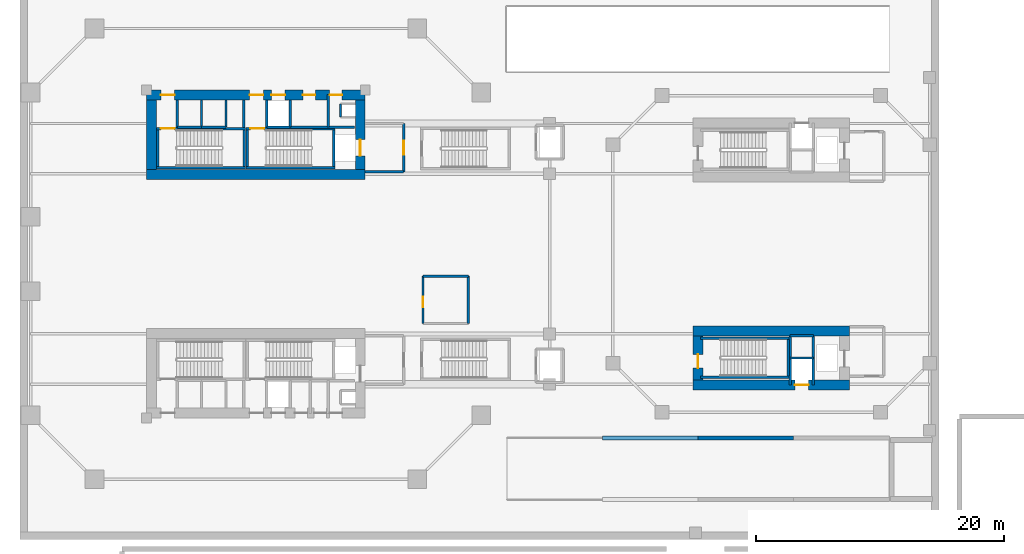
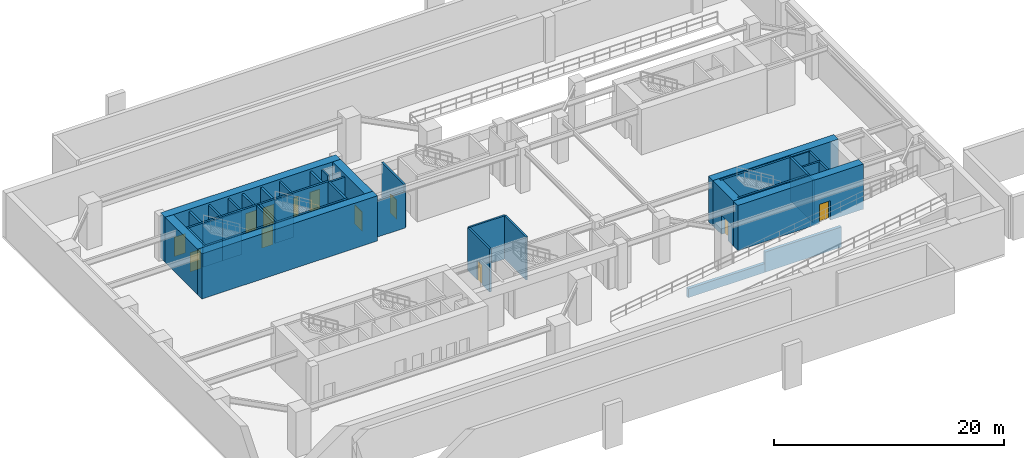
# One storey, part 4 of 10: 41 walls, 12 doors, 12 openings.
"""IFC4 building model written with IfcOpenShell, lengths in metres."""

from ifc_helpers import new_model, si_unit, direction, frame, frame_2d, origin, place, context, subcontext, project, spatial, rectangle, extrude, source, transform, mapped, material, layer, layer_set, type_object, element, fill, save


model = new_model("IFC4")

# Units and contexts
model_context = context("Model", 3, precision=1e-05, world=origin(), true_north=direction((0.0, 1.0)))
body_context = subcontext(model_context, "Body", "Model", "MODEL_VIEW")
ifc_project = project(units=[si_unit("LENGTHUNIT", "METRE"), si_unit("AREAUNIT", "SQUARE_METRE"), si_unit("VOLUMEUNIT", "CUBIC_METRE"), si_unit("PLANEANGLEUNIT", "RADIAN"), si_unit("MASSUNIT", "GRAM", prefix="KILO"), si_unit("THERMODYNAMICTEMPERATUREUNIT", "KELVIN"), si_unit("POWERUNIT", "WATT")], contexts=[model_context])

# Site, building, storey
site_placement = place(None, origin())
site = spatial("IfcSite", under=ifc_project, at=site_placement, CompositionType="ELEMENT")
building_placement = place(site_placement, origin())
building = spatial("IfcBuilding", under=site, at=building_placement, Name="Qiaomeng Ring Towers", CompositionType="ELEMENT")
storey_placement = place(building_placement, frame((0.0, 0.0, -4.800048828125)))
storey = spatial("IfcBuildingStorey", under=building, at=storey_placement, Name="B1", CompositionType="ELEMENT", Elevation=-4.800048828125)

# Wall
ifc_material_1 = material(Name="Autoclaved aerated concrete block", Category="concrete")
ifc_layer_1 = layer(ifc_material_1, 0.199951171875, Name="Autoclaved aerated concrete block")
ifc_layer_set_1 = layer_set([ifc_layer_1], Name="Autoclaved aerated concrete block")
wall_type_1 = type_object("IfcWallType", Name="ARC-WL-PW1", PredefinedType="PARTITIONING", material=ifc_layer_set_1)
wall_1_placement = place(storey_placement, frame((27.800048828125, 29.60009765625, 0.0), z_axis=(0.0, 0.0, 1.0), x_axis=(1.0, 0.0, 0.0)))
element("IfcWall", 1, at=wall_1_placement, inside=storey, type_object=wall_type_1, Name="B1 Interior Wall PW1", PredefinedType="PARTITIONING", context=body_context, shape_type="SweptSolid", body=[
    extrude(rectangle(XDim=3.099853515625, YDim=0.199951171875, at=frame_2d((1.5498046875, 0.0))), origin(), (0.0, 0.0, 1.0), 3.875),
])

# Wall, opening, door
wall_2_placement = place(storey_placement, frame((30.89990234375, 29.60009765625, 0.0), z_axis=(0.0, 0.0, 1.0), x_axis=(0.0, 1.0, 0.0)))
wall_2 = element("IfcWall", 2, at=wall_2_placement, inside=storey, type_object=wall_type_1, Name="B1 Interior Wall PW1", PredefinedType="PARTITIONING", context=body_context, shape_type="SweptSolid", body=[
    extrude(rectangle(XDim=3.89990234375, YDim=0.199951171875, at=frame_2d((1.949951171875, 0.0))), origin(), (0.0, 0.0, 1.0), 4.580078125),
])
opening_1_placement = place(wall_2_placement, frame((1.39990234375, 0.0, 0.0)))
opening_1 = element("IfcOpeningElement", 3, at=opening_1_placement, cuts=wall_2, Name="Opening FD3", PredefinedType="OPENING", context=body_context, shape_type="SweptSolid", body=[
    extrude(rectangle(XDim=1.10009765625, YDim=2.050048828125, at=frame_2d((0.550048828125, 1.02490234375))), frame((0.0, 0.10986328125, 0.0), z_axis=(0.0, -1.0, 0.0), x_axis=(1.0, 0.0, 0.0)), (0.0, 0.0, 1.0), 0.219970703125),
])
ifc_material_2 = material(Name="Galvanised steel", Category="steel")
door_type_1 = type_object("IfcDoorType", Name="ARC-DR-FD3", OperationType="NOTDEFINED", PredefinedType="DOOR", material=ifc_material_2)
shared_shape_1 = source(origin(), body_context, "Body", "SweptSolid", [
    extrude(rectangle(XDim=1.10009765625, YDim=2.050048828125, at=frame_2d((0.550048828125, 1.02490234375))), frame((0.0, 0.02490234375, 0.0), z_axis=(0.0, -1.0, 0.0), x_axis=(1.0, 0.0, 0.0)), (0.0, 0.0, 1.0), 0.050048828125),
])
door_1_placement = place(opening_1_placement, origin())
door_1 = element("IfcDoor", 4, at=door_1_placement, inside=storey, type_object=door_type_1, Name="B1 North FF Lobby Door", OperationType="SINGLE_SWING_LEFT", OverallHeight=2.050048828125, OverallWidth=1.10009765625, PredefinedType="DOOR", context=body_context, shape_type="MappedRepresentation", body=[
    mapped(shared_shape_1, transform((0.0, 0.0, 0.0), x_axis=(1.0, 0.0, 0.0), y_axis=(0.0, 1.0, 0.0), z_axis=(0.0, 0.0, 1.0), scale=1.0)),
])
fill(opening_1, door_1)

# Walls
for number, where, z_axis, x_axis, name in (
    (5, (12.679931640625, 33.18994140625, 0.0), (0.0, 0.0, 1.0), (0.0, 1.0, 0.0), "B1 Interior Wall PW1"),
    (6, (18.0, 33.18994140625, 0.0), (0.0, 0.0, 1.0), (0.0, 1.0, 0.0), "B1 Interior Wall PW1"),
    (7, (19.8798828125, 33.18994140625, 0.0), (0.0, 0.0, 1.0), (0.0, 1.0, 0.0), "B1 Interior Wall PW1"),
):
    element("IfcWall", number, at=place(storey_placement, frame(where, z_axis=z_axis, x_axis=x_axis)), inside=storey, type_object=wall_type_1, Name=name, PredefinedType="PARTITIONING", context=body_context, shape_type="SweptSolid", body=[
        extrude(rectangle(XDim=2.2099609375, YDim=0.199951171875, at=frame_2d((1.10498046875, 0.0))), origin(), (0.0, 0.0, 1.0), 4.580078125),
    ])
wall_3_placement = place(storey_placement, frame((24.820068359375, 33.199951171875, 0.0), z_axis=(0.0, 0.0, 1.0), x_axis=(0.0, 1.0, 0.0)))
element("IfcWall", 8, at=wall_3_placement, inside=storey, type_object=wall_type_1, Name="B1 Interior Wall PW1", PredefinedType="PARTITIONING", context=body_context, shape_type="SweptSolid", body=[
    extrude(rectangle(XDim=2.650146484375, YDim=0.199951171875, at=frame_2d((1.3251953125, 0.0))), origin(), (0.0, 0.0, 1.0), 4.580078125),
])
wall_4_placement = place(storey_placement, frame((21.75, 33.199951171875, 0.0), z_axis=(0.0, 0.0, 1.0), x_axis=(0.0, 1.0, 0.0)))
element("IfcWall", 9, at=wall_4_placement, inside=storey, type_object=wall_type_1, Name="B1 Interior Wall PW1", PredefinedType="PARTITIONING", context=body_context, shape_type="SweptSolid", body=[
    extrude(rectangle(XDim=2.199951171875, YDim=0.199951171875, at=frame_2d((1.10009765625, 0.0))), origin(), (0.0, 0.0, 1.0), 4.580078125),
])
wall_5_placement = place(storey_placement, frame((21.75, 33.199951171875, 0.0), z_axis=(0.0, 0.0, 1.0), x_axis=(1.0, 0.0, 0.0)))
element("IfcWall", 10, at=wall_5_placement, inside=storey, type_object=wall_type_1, Name="B1 Interior Wall PW1", PredefinedType="PARTITIONING", context=body_context, shape_type="SweptSolid", body=[
    extrude(rectangle(XDim=5.169921875, YDim=0.199951171875, at=frame_2d((2.5849609375, 0.0))), origin(), (0.0, 0.0, 1.0), 4.580078125),
])

# Wall, opening, door
ifc_layer_2 = layer(ifc_material_1, 0.179931640625, Name="Autoclaved aerated concrete block")
ifc_layer_set_2 = layer_set([ifc_layer_2], Name="Autoclaved aerated concrete block")
wall_type_2 = type_object("IfcWallType", Name="ARC-WL-PW2", PredefinedType="PARTITIONING", material=ifc_layer_set_2)
wall_6_placement = place(storey_placement, frame((32.449951171875, 17.39990234375, 0.0), z_axis=(0.0, 0.0, 1.0), x_axis=(0.0, 1.0, 0.0)))
wall_6 = element("IfcWall", 11, at=wall_6_placement, inside=storey, type_object=wall_type_2, Name="B1 Interior Wall PW2", PredefinedType="PARTITIONING", context=body_context, shape_type="SweptSolid", body=[
    extrude(rectangle(XDim=3.800048828125, YDim=0.179931640625, at=frame_2d((1.89990234375, 0.0))), origin(), (0.0, 0.0, 1.0), 4.580078125),
])
opening_2_placement = place(wall_6_placement, frame((1.300048828125, 0.0, 0.0)))
opening_2 = element("IfcOpeningElement", 12, at=opening_2_placement, cuts=wall_6, Name="Opening ID2", PredefinedType="OPENING", context=body_context, shape_type="SweptSolid", body=[
    extrude(rectangle(XDim=0.85009765625, YDim=2.050048828125, at=frame_2d((0.425048828125, 1.02490234375))), frame((0.0, 0.099853515625, 0.0), z_axis=(0.0, -1.0, 0.0), x_axis=(1.0, 0.0, 0.0)), (0.0, 0.0, 1.0), 0.199951171875),
])
ifc_material_3 = material(Name="Moisture-resistant engineered timber", Category="wood")
door_type_2 = type_object("IfcDoorType", Name="ARC-DR-ID2", OperationType="NOTDEFINED", PredefinedType="DOOR", material=ifc_material_3)
shared_shape_2 = source(origin(), body_context, "Body", "SweptSolid", [
    extrude(rectangle(XDim=0.85009765625, YDim=2.050048828125, at=frame_2d((0.425048828125, 1.02490234375))), frame((0.0, 0.02490234375, 0.0), z_axis=(0.0, -1.0, 0.0), x_axis=(1.0, 0.0, 0.0)), (0.0, 0.0, 1.0), 0.050048828125),
])
door_2_placement = place(opening_2_placement, origin())
door_2 = element("IfcDoor", 13, at=door_2_placement, inside=storey, type_object=door_type_2, Name="B1 Door ID2", OperationType="SINGLE_SWING_RIGHT", OverallHeight=2.050048828125, OverallWidth=0.85009765625, PredefinedType="DOOR", context=body_context, shape_type="MappedRepresentation", body=[
    mapped(shared_shape_2, transform((0.0, 0.0, 0.0), x_axis=(1.0, 0.0, 0.0), y_axis=(0.0, 1.0, 0.0), z_axis=(0.0, 0.0, 1.0), scale=1.0)),
])
fill(opening_2, door_2)

# Walls
wall_7_placement = place(storey_placement, frame((32.449951171875, 21.199951171875, 0.0), z_axis=(0.0, 0.0, 1.0), x_axis=(1.0, 0.0, 0.0)))
element("IfcWall", 14, at=wall_7_placement, inside=storey, type_object=wall_type_2, Name="B1 Interior Wall PW2", PredefinedType="PARTITIONING", context=body_context, shape_type="SweptSolid", body=[
    extrude(rectangle(XDim=3.650146484375, YDim=0.179931640625, at=frame_2d((1.8251953125, 0.0))), origin(), (0.0, 0.0, 1.0), 4.580078125),
])
wall_8_placement = place(storey_placement, frame((36.10009765625, 17.39990234375, 0.0), z_axis=(0.0, 0.0, 1.0), x_axis=(0.0, 1.0, 0.0)))
element("IfcWall", 15, at=wall_8_placement, inside=storey, type_object=wall_type_2, Name="B1 Interior Wall PW2", PredefinedType="PARTITIONING", context=body_context, shape_type="SweptSolid", body=[
    extrude(rectangle(XDim=3.800048828125, YDim=0.179931640625, at=frame_2d((1.89990234375, 0.0))), origin(), (0.0, 0.0, 1.0), 4.580078125),
])
ifc_material_4 = material(Name="Concrete C40", Category="concrete")
ifc_layer_3 = layer(ifc_material_4, 0.39990234375, Name="Concrete C40")
ifc_layer_set_3 = layer_set([ifc_layer_3], Name="Concrete C40")
wall_type_3 = type_object("IfcWallType", Name="STR-WL-BW2", PredefinedType="SOLIDWALL", material=ifc_layer_set_3)
wall_9_placement = place(storey_placement, frame((46.89990234375, 8.179931640625, 0.0), z_axis=(0.0, 0.0, 1.0), x_axis=(1.0, 0.0, 0.0)))
element("IfcWall", 16, at=wall_9_placement, inside=storey, type_object=wall_type_3, Name="B1 Vehicle Ramp R1 Stepped Support Wall N2", PredefinedType="SOLIDWALL", context=body_context, shape_type="SweptSolid", body=[
    extrude(rectangle(XDim=7.7001953125, YDim=0.300048828125, at=frame_2d((3.85009765625, 0.0))), origin(), (0.0, 0.0, 1.0), 0.93994140625),
])
wall_10_placement = place(storey_placement, frame((54.60009765625, 8.179931640625, 0.0), z_axis=(0.0, 0.0, 1.0), x_axis=(1.0, 0.0, 0.0)))
element("IfcWall", 17, at=wall_10_placement, inside=storey, type_object=wall_type_3, Name="B1 Vehicle Ramp R1 Stepped Support Wall N3", PredefinedType="SOLIDWALL", context=body_context, shape_type="SweptSolid", body=[
    extrude(rectangle(XDim=7.699951171875, YDim=0.300048828125, at=frame_2d((3.85009765625, 0.0))), origin(), (0.0, 0.0, 1.0), 2.14013671875),
])
ifc_layer_4 = layer(ifc_material_4, 0.199951171875, Name="Concrete C40")
ifc_layer_set_4 = layer_set([ifc_layer_4], Name="Concrete C40")
wall_type_4 = type_object("IfcWallType", Name="STR-WL-STSHAFT", PredefinedType="SHEAR", material=ifc_layer_set_4)
wall_11_placement = place(storey_placement, frame((12.679931640625, 33.199951171875, 0.0), z_axis=(0.0, 0.0, 1.0), x_axis=(1.0, 0.0, 0.0)))
element("IfcWall", 18, at=wall_11_placement, inside=storey, type_object=wall_type_4, Name="B1 Lift LP5 Shaft Back Wall", PredefinedType="SHEAR", context=body_context, shape_type="SweptSolid", body=[
    extrude(rectangle(XDim=1.940185546875, YDim=0.179931640625, at=frame_2d((0.97021484375, 0.0))), origin(), (0.0, 0.0, 1.0), 4.580078125),
])
wall_12_placement = place(storey_placement, frame((14.6201171875, 33.199951171875, 0.0), z_axis=(0.0, 0.0, 1.0), x_axis=(0.0, 1.0, 0.0)))
element("IfcWall", 19, at=wall_12_placement, inside=storey, type_object=wall_type_4, Name="B1 Lift LP5-LP3 Shaft Divider Wall", PredefinedType="SHEAR", context=body_context, shape_type="SweptSolid", body=[
    extrude(rectangle(XDim=2.199951171875, YDim=0.179931640625, at=frame_2d((1.10009765625, 0.0))), origin(), (0.0, 0.0, 1.0), 4.580078125),
])
wall_13_placement = place(storey_placement, frame((25.800048828125, 34.02001953125, 0.0), z_axis=(0.0, 0.0, 1.0), x_axis=(0.0, 1.0, 0.0)))
element("IfcWall", 20, at=wall_13_placement, inside=storey, type_object=wall_type_4, Name="B1 Riser RSR1 West Shaft Wall N", PredefinedType="SHEAR", context=body_context, shape_type="SweptSolid", body=[
    extrude(rectangle(XDim=1.06005859375, YDim=0.179931640625, at=frame_2d((0.530029296875, 0.0))), origin(), (0.0, 0.0, 1.0), 4.580078125),
])
wall_14_placement = place(storey_placement, frame((14.6201171875, 33.199951171875, 0.0), z_axis=(0.0, 0.0, 1.0), x_axis=(1.0, 0.0, 0.0)))
element("IfcWall", 21, at=wall_14_placement, inside=storey, type_object=wall_type_4, Name="B1 Lift LP3 Shaft Back Wall", PredefinedType="SHEAR", context=body_context, shape_type="SweptSolid", body=[
    extrude(rectangle(XDim=1.9599609375, YDim=0.179931640625, at=frame_2d((0.97998046875, 0.0))), origin(), (0.0, 0.0, 1.0), 4.580078125),
])
wall_15_placement = place(storey_placement, frame((16.580078125, 33.199951171875, 0.0), z_axis=(0.0, 0.0, 1.0), x_axis=(0.0, 1.0, 0.0)))
element("IfcWall", 22, at=wall_15_placement, inside=storey, type_object=wall_type_4, Name="B1 Lift LP3 East Shaft Wall", PredefinedType="SHEAR", context=body_context, shape_type="SweptSolid", body=[
    extrude(rectangle(XDim=2.199951171875, YDim=0.179931640625, at=frame_2d((1.10009765625, 0.0))), origin(), (0.0, 0.0, 1.0), 4.580078125),
])
wall_16_placement = place(storey_placement, frame((19.8798828125, 33.199951171875, 0.0), z_axis=(0.0, 0.0, 1.0), x_axis=(1.0, 0.0, 0.0)))
element("IfcWall", 23, at=wall_16_placement, inside=storey, type_object=wall_type_4, Name="B1 Lift LP1 Shaft Back Wall", PredefinedType="SHEAR", context=body_context, shape_type="SweptSolid", body=[
    extrude(rectangle(XDim=1.8701171875, YDim=0.179931640625, at=frame_2d((0.93505859375, 0.0))), origin(), (0.0, 0.0, 1.0), 4.580078125),
])
for number, where, z_axis, x_axis, name in (
    (24, (62.02001953125, 12.449951171875, 0.0), (0.0, 0.0, 1.0), (0.0, 1.0, 0.0), "B1 Companion Lift Shaft West Wall S"),
    (25, (63.8798828125, 12.449951171875, 0.0), (0.0, 0.0, 1.0), (0.0, 1.0, 0.0), "B1 Companion Lift Shaft East Wall S"),
):
    element("IfcWall", number, at=place(storey_placement, frame(where, z_axis=z_axis, x_axis=x_axis)), inside=storey, type_object=wall_type_4, Name=name, PredefinedType="SHEAR", context=body_context, shape_type="SweptSolid", body=[
        extrude(rectangle(XDim=3.949951171875, YDim=0.179931640625, at=frame_2d((1.97509765625, 0.0))), origin(), (0.0, 0.0, 1.0), 4.580078125),
    ])
for number, where, z_axis, x_axis, name in (
    (26, (62.02001953125, 14.6201171875, 0.0), (0.0, 0.0, 1.0), (1.0, 0.0, 0.0), "B1 Companion Lift Shaft Divider Wall S"),
    (27, (62.02001953125, 16.39990234375, 0.0), (0.0, 0.0, 1.0), (1.0, 0.0, 0.0), "B1 Companion Riser Shaft Back Wall S"),
):
    element("IfcWall", number, at=place(storey_placement, frame(where, z_axis=z_axis, x_axis=x_axis)), inside=storey, type_object=wall_type_4, Name=name, PredefinedType="SHEAR", context=body_context, shape_type="SweptSolid", body=[
        extrude(rectangle(XDim=1.85986328125, YDim=0.179931640625, at=frame_2d((0.929931640625, 0.0))), origin(), (0.0, 0.0, 1.0), 4.580078125),
    ])
wall_17_placement = place(storey_placement, frame((11.0, 29.949951171875, 0.0), z_axis=(0.0, 0.0, 1.0), x_axis=(1.0, 0.0, 0.0)))
element("IfcWall", 28, at=wall_17_placement, inside=storey, type_object=wall_type_4, Name="B1 Stair ST1 South Shaft Shear Wall", PredefinedType="SHEAR", context=body_context, shape_type="SweptSolid", body=[
    extrude(rectangle(XDim=7.14990234375, YDim=0.199951171875, at=frame_2d((3.574951171875, 0.0))), origin(), (0.0, 0.0, 1.0), 4.800048828125),
])

# Wall, opening, door
wall_18_placement = place(storey_placement, frame((11.0, 33.090087890625, 0.0), z_axis=(0.0, 0.0, 1.0), x_axis=(1.0, 0.0, 0.0)))
wall_18 = element("IfcWall", 29, at=wall_18_placement, inside=storey, type_object=wall_type_4, Name="B1 Stair ST1 North Shaft Shear Wall", PredefinedType="SHEAR", context=body_context, shape_type="SweptSolid", body=[
    extrude(rectangle(XDim=7.14990234375, YDim=0.199951171875, at=frame_2d((3.574951171875, 0.0))), origin(), (0.0, 0.0, 1.0), 4.800048828125),
])
opening_3_placement = place(wall_18_placement, frame((0.35009765625, 0.0, 0.0)))
opening_3 = element("IfcOpeningElement", 30, at=opening_3_placement, cuts=wall_18, Name="Opening FD3", PredefinedType="OPENING", context=body_context, shape_type="SweptSolid", body=[
    extrude(rectangle(XDim=1.10009765625, YDim=2.050048828125, at=frame_2d((0.550048828125, 1.02490234375))), frame((0.0, 0.10986328125, 0.0), z_axis=(0.0, -1.0, 0.0), x_axis=(1.0, 0.0, 0.0)), (0.0, 0.0, 1.0), 0.219970703125),
])
door_3_placement = place(opening_3_placement, origin())
door_3 = element("IfcDoor", 31, at=door_3_placement, inside=storey, type_object=door_type_1, Name="B1 Stair ST1 Exit Door", OperationType="SINGLE_SWING_RIGHT", OverallHeight=2.050048828125, OverallWidth=1.10009765625, PredefinedType="DOOR", context=body_context, shape_type="MappedRepresentation", body=[
    mapped(shared_shape_1, transform((0.0, 0.0, 0.0), x_axis=(1.0, 0.0, 0.0), y_axis=(0.0, 1.0, 0.0), z_axis=(0.0, 0.0, 1.0), scale=1.0)),
])
fill(opening_3, door_3)

# Walls
for number, where, z_axis, x_axis, name in (
    (32, (11.10009765625, 30.050048828125, 0.0), (0.0, 0.0, 1.0), (0.0, 1.0, 0.0), "B1 Stair ST1 West Shaft Shear Wall"),
    (33, (18.050048828125, 30.050048828125, 0.0), (0.0, 0.0, 1.0), (0.0, 1.0, 0.0), "B1 Stair ST1 East Shaft Shear Wall"),
):
    element("IfcWall", number, at=place(storey_placement, frame(where, z_axis=z_axis, x_axis=x_axis)), inside=storey, type_object=wall_type_4, Name=name, PredefinedType="SHEAR", context=body_context, shape_type="SweptSolid", body=[
        extrude(rectangle(XDim=2.93994140625, YDim=0.199951171875, at=frame_2d((1.469970703125, 0.0))), origin(), (0.0, 0.0, 1.0), 4.800048828125),
    ])
wall_19_placement = place(storey_placement, frame((18.199951171875, 29.949951171875, 0.0), z_axis=(0.0, 0.0, 1.0), x_axis=(1.0, 0.0, 0.0)))
element("IfcWall", 34, at=wall_19_placement, inside=storey, type_object=wall_type_4, Name="B1 Stair ST2 South Shaft Shear Wall", PredefinedType="SHEAR", context=body_context, shape_type="SweptSolid", body=[
    extrude(rectangle(XDim=7.150146484375, YDim=0.199951171875, at=frame_2d((3.5751953125, 0.0))), origin(), (0.0, 0.0, 1.0), 4.800048828125),
])

# Wall, opening, door
wall_20_placement = place(storey_placement, frame((18.199951171875, 33.090087890625, 0.0), z_axis=(0.0, 0.0, 1.0), x_axis=(1.0, 0.0, 0.0)))
wall_20 = element("IfcWall", 35, at=wall_20_placement, inside=storey, type_object=wall_type_4, Name="B1 Stair ST2 North Shaft Shear Wall", PredefinedType="SHEAR", context=body_context, shape_type="SweptSolid", body=[
    extrude(rectangle(XDim=7.150146484375, YDim=0.199951171875, at=frame_2d((3.5751953125, 0.0))), origin(), (0.0, 0.0, 1.0), 4.800048828125),
])
opening_4_placement = place(wall_20_placement, frame((0.35009765625, 0.0, 0.0)))
opening_4 = element("IfcOpeningElement", 36, at=opening_4_placement, cuts=wall_20, Name="Opening FD3", PredefinedType="OPENING", context=body_context, shape_type="SweptSolid", body=[
    extrude(rectangle(XDim=1.10009765625, YDim=2.050048828125, at=frame_2d((0.550048828125, 1.02490234375))), frame((0.0, 0.10986328125, 0.0), z_axis=(0.0, -1.0, 0.0), x_axis=(1.0, 0.0, 0.0)), (0.0, 0.0, 1.0), 0.219970703125),
])
door_4_placement = place(opening_4_placement, origin())
door_4 = element("IfcDoor", 37, at=door_4_placement, inside=storey, type_object=door_type_1, Name="B1 Stair ST2 Exit Door", OperationType="SINGLE_SWING_RIGHT", OverallHeight=2.050048828125, OverallWidth=1.10009765625, PredefinedType="DOOR", context=body_context, shape_type="MappedRepresentation", body=[
    mapped(shared_shape_1, transform((0.0, 0.0, 0.0), x_axis=(1.0, 0.0, 0.0), y_axis=(0.0, 1.0, 0.0), z_axis=(0.0, 0.0, 1.0), scale=1.0)),
])
fill(opening_4, door_4)

# Walls
for number, where, z_axis, x_axis, name in (
    (38, (18.300048828125, 30.050048828125, 0.0), (0.0, 0.0, 1.0), (0.0, 1.0, 0.0), "B1 Stair ST2 West Shaft Shear Wall"),
    (39, (25.25, 30.050048828125, 0.0), (0.0, 0.0, 1.0), (0.0, 1.0, 0.0), "B1 Stair ST2 East Shaft Shear Wall"),
):
    element("IfcWall", number, at=place(storey_placement, frame(where, z_axis=z_axis, x_axis=x_axis)), inside=storey, type_object=wall_type_4, Name=name, PredefinedType="SHEAR", context=body_context, shape_type="SweptSolid", body=[
        extrude(rectangle(XDim=2.93994140625, YDim=0.199951171875, at=frame_2d((1.469970703125, 0.0))), origin(), (0.0, 0.0, 1.0), 4.800048828125),
    ])
for number, where, z_axis, x_axis, name in (
    (40, (54.800048828125, 13.06005859375, 0.0), (0.0, 0.0, 1.0), (1.0, 0.0, 0.0), "B1 Stair ST6 South Shaft Shear Wall"),
    (41, (54.800048828125, 16.199951171875, 0.0), (0.0, 0.0, 1.0), (1.0, 0.0, 0.0), "B1 Stair ST6 North Shaft Shear Wall"),
):
    element("IfcWall", number, at=place(storey_placement, frame(where, z_axis=z_axis, x_axis=x_axis)), inside=storey, type_object=wall_type_4, Name=name, PredefinedType="SHEAR", context=body_context, shape_type="SweptSolid", body=[
        extrude(rectangle(XDim=7.14990234375, YDim=0.199951171875, at=frame_2d((3.574951171875, 0.0))), origin(), (0.0, 0.0, 1.0), 4.800048828125),
    ])
wall_21_placement = place(storey_placement, frame((61.85009765625, 13.159912109375, 0.0), z_axis=(0.0, 0.0, 1.0), x_axis=(0.0, 1.0, 0.0)))
element("IfcWall", 42, at=wall_21_placement, inside=storey, type_object=wall_type_4, Name="B1 Stair ST6 East Shaft Shear Wall", PredefinedType="SHEAR", context=body_context, shape_type="SweptSolid", body=[
    extrude(rectangle(XDim=2.940185546875, YDim=0.199951171875, at=frame_2d((1.47021484375, 0.0))), origin(), (0.0, 0.0, 1.0), 4.800048828125),
])
ifc_material_5 = material(Name="Concrete C60", Category="concrete")
ifc_layer_5 = layer(ifc_material_5, 0.800048828125, Name="Concrete C60")
ifc_layer_set_5 = layer_set([ifc_layer_5], Name="Concrete C60")
wall_type_5 = type_object("IfcWallType", Name="STR-WL-SW1", PredefinedType="SHEAR", material=ifc_layer_set_5)
wall_22_placement = place(storey_placement, frame((10.199951171875, 29.39990234375, 0.0), z_axis=(0.0, 0.0, 1.0), x_axis=(1.0, 0.0, 0.0)))
element("IfcWall", 43, at=wall_22_placement, inside=storey, type_object=wall_type_5, Name="B1 T1NC south core shear wall", PredefinedType="SHEAR", context=body_context, shape_type="SweptSolid", body=[
    extrude(rectangle(XDim=17.60009765625, YDim=0.800048828125, at=frame_2d((8.800048828125, 0.0))), origin(), (0.0, 0.0, 1.0), 4.800048828125),
])

# Wall, openings, doors
wall_23_placement = place(storey_placement, frame((10.199951171875, 35.800048828125, 0.0), z_axis=(0.0, 0.0, 1.0), x_axis=(1.0, 0.0, 0.0)))
wall_23 = element("IfcWall", 44, at=wall_23_placement, inside=storey, type_object=wall_type_5, Name="B1 T1NC north core shear wall", PredefinedType="SHEAR", context=body_context, shape_type="SweptSolid", body=[
    extrude(rectangle(XDim=17.60009765625, YDim=0.800048828125, at=frame_2d((8.800048828125, 0.0))), origin(), (0.0, 0.0, 1.0), 4.800048828125),
])
opening_5_placement = place(wall_23_placement, frame((1.14990234375, 0.0, 0.0)))
opening_5 = element("IfcOpeningElement", 45, at=opening_5_placement, cuts=wall_23, Name="Opening FD3", PredefinedType="OPENING", context=body_context, shape_type="SweptSolid", body=[
    extrude(rectangle(XDim=1.10009765625, YDim=2.050048828125, at=frame_2d((0.550048828125, 1.02490234375))), frame((0.0, 0.409912109375, 0.0), z_axis=(0.0, -1.0, 0.0), x_axis=(1.0, 0.0, 0.0)), (0.0, 0.0, 1.0), 0.820068359375),
])
opening_6_placement = place(wall_23_placement, frame((8.300048828125, 0.0, 0.0)))
opening_6 = element("IfcOpeningElement", 46, at=opening_6_placement, cuts=wall_23, Name="Opening FD3", PredefinedType="OPENING", context=body_context, shape_type="SweptSolid", body=[
    extrude(rectangle(XDim=1.10009765625, YDim=2.050048828125, at=frame_2d((0.550048828125, 1.02490234375))), frame((0.0, 0.409912109375, 0.0), z_axis=(0.0, -1.0, 0.0), x_axis=(1.0, 0.0, 0.0)), (0.0, 0.0, 1.0), 0.820068359375),
])
opening_7_placement = place(wall_23_placement, frame((10.050048828125, 0.0, 0.0)))
opening_7 = element("IfcOpeningElement", 47, at=opening_7_placement, cuts=wall_23, Name="Opening LD1", PredefinedType="OPENING", context=body_context, shape_type="SweptSolid", body=[
    extrude(rectangle(XDim=1.10009765625, YDim=2.050048828125, at=frame_2d((0.550048828125, 1.02490234375))), frame((0.0, 0.409912109375, 0.0), z_axis=(0.0, -1.0, 0.0), x_axis=(1.0, 0.0, 0.0)), (0.0, 0.0, 1.0), 0.820068359375),
])
opening_8_placement = place(wall_23_placement, frame((14.739990234375, 0.0, 0.0)))
opening_8 = element("IfcOpeningElement", 48, at=opening_8_placement, cuts=wall_23, Name="Opening FD1", PredefinedType="OPENING", context=body_context, shape_type="SweptSolid", body=[
    extrude(rectangle(XDim=1.0, YDim=2.050048828125, at=frame_2d((0.5, 1.02490234375))), frame((0.0, 0.409912109375, 0.0), z_axis=(0.0, -1.0, 0.0), x_axis=(1.0, 0.0, 0.0)), (0.0, 0.0, 1.0), 0.820068359375),
])
opening_9_placement = place(wall_23_placement, frame((12.5849609375, 0.0, 0.0)))
opening_9 = element("IfcOpeningElement", 49, at=opening_9_placement, cuts=wall_23, Name="Opening FD1", PredefinedType="OPENING", context=body_context, shape_type="SweptSolid", body=[
    extrude(rectangle(XDim=1.0, YDim=2.050048828125, at=frame_2d((0.5, 1.02490234375))), frame((0.0, 0.409912109375, 0.0), z_axis=(0.0, -1.0, 0.0), x_axis=(1.0, 0.0, 0.0)), (0.0, 0.0, 1.0), 0.820068359375),
])
door_5_placement = place(opening_5_placement, origin())
door_5 = element("IfcDoor", 50, at=door_5_placement, inside=storey, type_object=door_type_1, Name="B1 Stair ST1 Lobby Door", OperationType="SINGLE_SWING_LEFT", OverallHeight=2.050048828125, OverallWidth=1.10009765625, PredefinedType="DOOR", context=body_context, shape_type="MappedRepresentation", body=[
    mapped(shared_shape_1, transform((0.0, 0.0, 0.0), x_axis=(1.0, 0.0, 0.0), y_axis=(0.0, 1.0, 0.0), z_axis=(0.0, 0.0, 1.0), scale=1.0)),
])
fill(opening_5, door_5)
door_6_placement = place(opening_6_placement, origin())
door_6 = element("IfcDoor", 51, at=door_6_placement, inside=storey, type_object=door_type_1, Name="B1 Stair ST2 Lobby Door", OperationType="SINGLE_SWING_LEFT", OverallHeight=2.050048828125, OverallWidth=1.10009765625, PredefinedType="DOOR", context=body_context, shape_type="MappedRepresentation", body=[
    mapped(shared_shape_1, transform((0.0, 0.0, 0.0), x_axis=(1.0, 0.0, 0.0), y_axis=(0.0, 1.0, 0.0), z_axis=(0.0, 0.0, 1.0), scale=1.0)),
])
fill(opening_6, door_6)
ifc_material_6 = material(Name="Stainless steel 316", Category="steel")
door_type_3 = type_object("IfcDoorType", Name="ARC-DR-LD1", OperationType="NOTDEFINED", PredefinedType="DOOR", material=ifc_material_6)
door_7_placement = place(opening_7_placement, origin())
door_7 = element("IfcDoor", 52, at=door_7_placement, inside=storey, type_object=door_type_3, Name="B1 Low-Zone Lift LP1 Landing Door", OperationType="SLIDING_TO_LEFT", OverallHeight=2.050048828125, OverallWidth=1.10009765625, PredefinedType="DOOR", context=body_context, shape_type="MappedRepresentation", body=[
    mapped(shared_shape_1, transform((0.0, 0.0, 0.0), x_axis=(1.0, 0.0, 0.0), y_axis=(0.0, 1.0, 0.0), z_axis=(0.0, 0.0, 1.0), scale=1.0)),
])
fill(opening_7, door_7)
door_type_4 = type_object("IfcDoorType", Name="ARC-DR-FD1", OperationType="NOTDEFINED", PredefinedType="DOOR", material=ifc_material_2)
shared_shape_3 = source(origin(), body_context, "Body", "SweptSolid", [
    extrude(rectangle(XDim=1.0, YDim=2.050048828125, at=frame_2d((0.5, 1.02490234375))), frame((0.0, 0.02490234375, 0.0), z_axis=(0.0, -1.0, 0.0), x_axis=(1.0, 0.0, 0.0)), (0.0, 0.0, 1.0), 0.050048828125),
])
door_8_placement = place(opening_8_placement, origin())
door_8 = element("IfcDoor", 53, at=door_8_placement, inside=storey, type_object=door_type_4, Name="B1 North Electrical Riser Door", OperationType="SINGLE_SWING_LEFT", OverallHeight=2.050048828125, OverallWidth=1.0, PredefinedType="DOOR", context=body_context, shape_type="MappedRepresentation", body=[
    mapped(shared_shape_3, transform((0.0, 0.0, 0.0), x_axis=(1.0, 0.0, 0.0), y_axis=(0.0, 1.0, 0.0), z_axis=(0.0, 0.0, 1.0), scale=1.0)),
])
fill(opening_8, door_8)
door_9_placement = place(opening_9_placement, origin())
door_9 = element("IfcDoor", 54, at=door_9_placement, inside=storey, type_object=door_type_4, Name="B1 Core AHU Plant Room Door", OperationType="SINGLE_SWING_LEFT", OverallHeight=2.050048828125, OverallWidth=1.0, PredefinedType="DOOR", context=body_context, shape_type="MappedRepresentation", body=[
    mapped(shared_shape_3, transform((0.0, 0.0, 0.0), x_axis=(1.0, 0.0, 0.0), y_axis=(0.0, 1.0, 0.0), z_axis=(0.0, 0.0, 1.0), scale=1.0)),
])
fill(opening_9, door_9)

# Wall
wall_24_placement = place(storey_placement, frame((10.60009765625, 29.800048828125, 0.0), z_axis=(0.0, 0.0, 1.0), x_axis=(0.0, 1.0, 0.0)))
element("IfcWall", 55, at=wall_24_placement, inside=storey, type_object=wall_type_5, Name="B1 T1NC west core shear wall", PredefinedType="SHEAR", context=body_context, shape_type="SweptSolid", body=[
    extrude(rectangle(XDim=5.599853515625, YDim=0.800048828125, at=frame_2d((2.7998046875, 0.0))), origin(), (0.0, 0.0, 1.0), 4.800048828125),
])

# Wall, opening, door
wall_25_placement = place(storey_placement, frame((27.39990234375, 29.800048828125, 0.0), z_axis=(0.0, 0.0, 1.0), x_axis=(0.0, 1.0, 0.0)))
wall_25 = element("IfcWall", 56, at=wall_25_placement, inside=storey, type_object=wall_type_5, Name="B1 T1NC east core shear wall", PredefinedType="SHEAR", context=body_context, shape_type="SweptSolid", body=[
    extrude(rectangle(XDim=5.599853515625, YDim=0.800048828125, at=frame_2d((2.7998046875, 0.0))), origin(), (0.0, 0.0, 1.0), 4.800048828125),
])
opening_10_placement = place(wall_25_placement, frame((1.10009765625, 0.0, 0.0)))
opening_10 = element("IfcOpeningElement", 57, at=opening_10_placement, cuts=wall_25, Name="Opening LD2", PredefinedType="OPENING", context=body_context, shape_type="SweptSolid", body=[
    extrude(rectangle(XDim=1.300048828125, YDim=2.050048828125, at=frame_2d((0.64990234375, 1.02490234375))), frame((0.0, 0.409912109375, 0.0), z_axis=(0.0, -1.0, 0.0), x_axis=(1.0, 0.0, 0.0)), (0.0, 0.0, 1.0), 0.820068359375),
])
door_type_5 = type_object("IfcDoorType", Name="ARC-DR-LD2", OperationType="NOTDEFINED", PredefinedType="DOOR", material=ifc_material_6)
shared_shape_4 = source(origin(), body_context, "Body", "SweptSolid", [
    extrude(rectangle(XDim=1.300048828125, YDim=2.050048828125, at=frame_2d((0.64990234375, 1.02490234375))), frame((0.0, 0.02490234375, 0.0), z_axis=(0.0, -1.0, 0.0), x_axis=(1.0, 0.0, 0.0)), (0.0, 0.0, 1.0), 0.050048828125),
])
door_10_placement = place(opening_10_placement, origin())
door_10 = element("IfcDoor", 58, at=door_10_placement, inside=storey, type_object=door_type_5, Name="B1 Firefighting Lift FL1 Landing Door", OperationType="SLIDING_TO_LEFT", OverallHeight=2.050048828125, OverallWidth=1.300048828125, PredefinedType="DOOR", context=body_context, shape_type="MappedRepresentation", body=[
    mapped(shared_shape_4, transform((0.0, 0.0, 0.0), x_axis=(1.0, 0.0, 0.0), y_axis=(0.0, 1.0, 0.0), z_axis=(0.0, 0.0, 1.0), scale=1.0)),
])
fill(opening_10, door_10)

wall_26_placement = place(storey_placement, frame((54.199951171875, 12.449951171875, 0.0), z_axis=(0.0, 0.0, 1.0), x_axis=(1.0, 0.0, 0.0)))
wall_26 = element("IfcWall", 59, at=wall_26_placement, inside=storey, type_object=wall_type_5, Name="B1 T2SC south core shear wall", PredefinedType="SHEAR", context=body_context, shape_type="SweptSolid", body=[
    extrude(rectangle(XDim=12.60009765625, YDim=0.800048828125, at=frame_2d((6.300048828125, 0.0))), origin(), (0.0, 0.0, 1.0), 4.800048828125),
])
opening_11_placement = place(wall_26_placement, frame((8.199951171875, 0.0, 0.0)))
opening_11 = element("IfcOpeningElement", 60, at=opening_11_placement, cuts=wall_26, Name="Opening LD1", PredefinedType="OPENING", context=body_context, shape_type="SweptSolid", body=[
    extrude(rectangle(XDim=1.10009765625, YDim=2.050048828125, at=frame_2d((0.550048828125, 1.02490234375))), frame((0.0, 0.409912109375, 0.0), z_axis=(0.0, -1.0, 0.0), x_axis=(1.0, 0.0, 0.0)), (0.0, 0.0, 1.0), 0.820068359375),
])
door_11_placement = place(opening_11_placement, origin())
door_11 = element("IfcDoor", 61, at=door_11_placement, inside=storey, type_object=door_type_3, Name="B1 Companion Lift LP8 Landing Door", OperationType="SLIDING_TO_RIGHT", OverallHeight=2.050048828125, OverallWidth=1.10009765625, PredefinedType="DOOR", context=body_context, shape_type="MappedRepresentation", body=[
    mapped(shared_shape_1, transform((0.0, 0.0, 0.0), x_axis=(1.0, 0.0, 0.0), y_axis=(0.0, 1.0, 0.0), z_axis=(0.0, 0.0, 1.0), scale=1.0)),
])
fill(opening_11, door_11)

# Wall
wall_27_placement = place(storey_placement, frame((54.199951171875, 16.800048828125, 0.0), z_axis=(0.0, 0.0, 1.0), x_axis=(1.0, 0.0, 0.0)))
element("IfcWall", 62, at=wall_27_placement, inside=storey, type_object=wall_type_5, Name="B1 T2SC north core shear wall", PredefinedType="SHEAR", context=body_context, shape_type="SweptSolid", body=[
    extrude(rectangle(XDim=12.60009765625, YDim=0.800048828125, at=frame_2d((6.300048828125, 0.0))), origin(), (0.0, 0.0, 1.0), 4.800048828125),
])

# Wall, opening, door
wall_28_placement = place(storey_placement, frame((54.60009765625, 12.85009765625, 0.0), z_axis=(0.0, 0.0, 1.0), x_axis=(0.0, 1.0, 0.0)))
wall_28 = element("IfcWall", 63, at=wall_28_placement, inside=storey, type_object=wall_type_5, Name="B1 T2SC west core shear wall", PredefinedType="SHEAR", context=body_context, shape_type="SweptSolid", body=[
    extrude(rectangle(XDim=3.5498046875, YDim=0.800048828125, at=frame_2d((1.77490234375, 0.0))), origin(), (0.0, 0.0, 1.0), 4.800048828125),
])
opening_12_placement = place(wall_28_placement, frame((0.949951171875, 0.0, 0.0)))
opening_12 = element("IfcOpeningElement", 64, at=opening_12_placement, cuts=wall_28, Name="Opening FD3", PredefinedType="OPENING", context=body_context, shape_type="SweptSolid", body=[
    extrude(rectangle(XDim=1.10009765625, YDim=2.050048828125, at=frame_2d((0.550048828125, 1.02490234375))), frame((0.0, 0.409912109375, 0.0), z_axis=(0.0, -1.0, 0.0), x_axis=(1.0, 0.0, 0.0)), (0.0, 0.0, 1.0), 0.820068359375),
])
door_12_placement = place(opening_12_placement, origin())
door_12 = element("IfcDoor", 65, at=door_12_placement, inside=storey, type_object=door_type_1, Name="B1 Stair ST6 Exit Door", OperationType="SINGLE_SWING_LEFT", OverallHeight=2.050048828125, OverallWidth=1.10009765625, PredefinedType="DOOR", context=body_context, shape_type="MappedRepresentation", body=[
    mapped(shared_shape_1, transform((0.0, 0.0, 0.0), x_axis=(1.0, 0.0, 0.0), y_axis=(0.0, 1.0, 0.0), z_axis=(0.0, 0.0, 1.0), scale=1.0)),
])
fill(opening_12, door_12)

save(model, "model.ifc")
